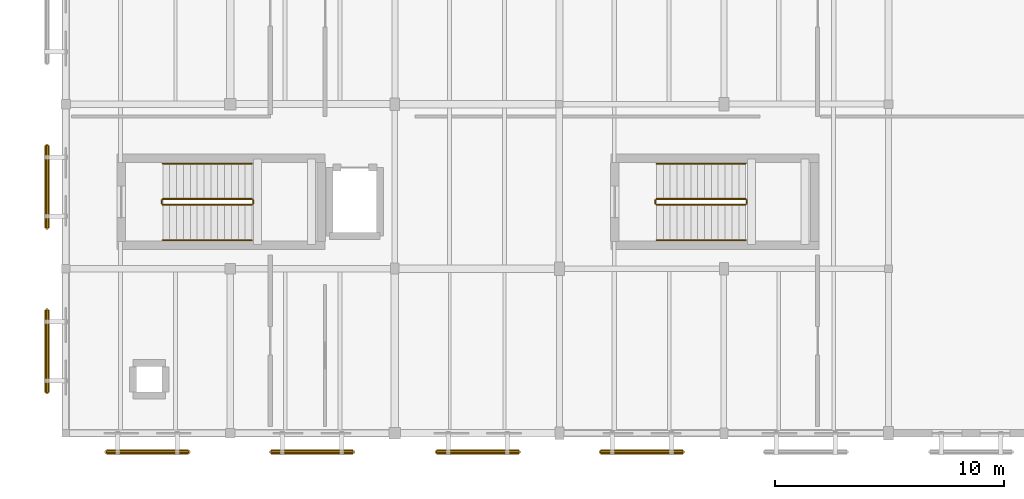
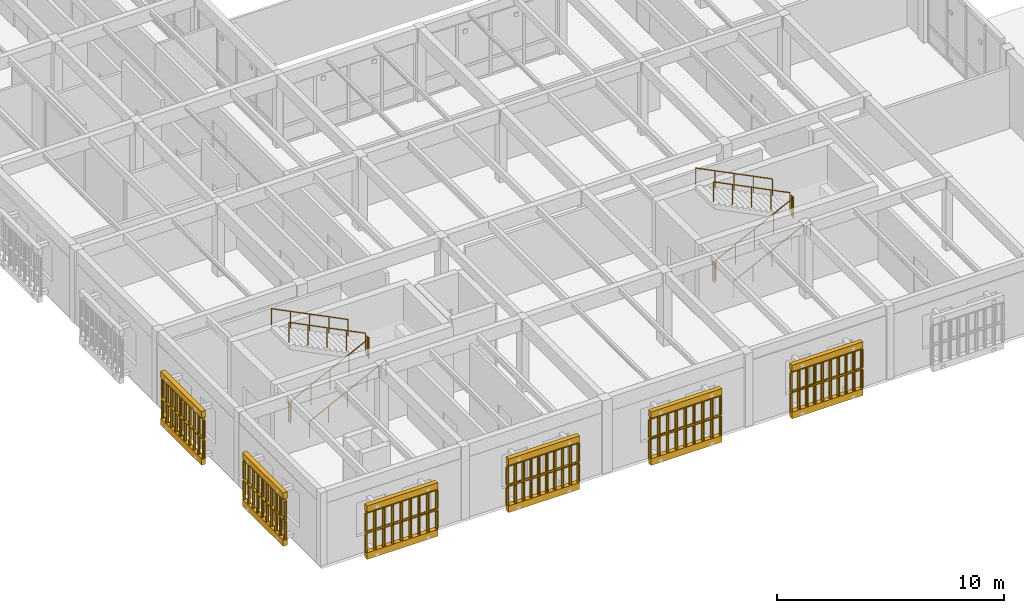
# One storey, part 56 of 61: 24 railings, 12 coverings.
"""IFC4 building model written with IfcOpenShell, lengths in metres."""

from ifc_helpers import new_model, si_unit, direction, frame, origin, origin_2d, place, context, subcontext, project, spatial, polyline, circle, outline, extrude, material, layer, layer_set, type_object, element, save


model = new_model("IFC4")

# Units and contexts
model_context = context("Model", 3, precision=1e-05, world=origin(), true_north=direction((0.0, 1.0)))
body_context = subcontext(model_context, "Body", "Model", "MODEL_VIEW")
ifc_project = project(units=[si_unit("LENGTHUNIT", "METRE"), si_unit("AREAUNIT", "SQUARE_METRE"), si_unit("VOLUMEUNIT", "CUBIC_METRE"), si_unit("PLANEANGLEUNIT", "RADIAN"), si_unit("MASSUNIT", "GRAM", prefix="KILO")], contexts=[model_context])

# Site, building, storey
site_placement = place(None, origin())
site = spatial("IfcSite", under=ifc_project, at=site_placement, CompositionType="ELEMENT")
building_placement = place(site_placement, origin())
building = spatial("IfcBuilding", under=site, at=building_placement, Name="Mazaris Harbour Polytechnic", CompositionType="ELEMENT")
storey_placement = place(building_placement, frame((0.0, 0.0, 18.0)))
storey = spatial("IfcBuildingStorey", under=building, at=storey_placement, Name="L04", CompositionType="ELEMENT", Elevation=18.0)

# Railings
ifc_material_1 = material(Name="Perforated Earth-Coloured Terracotta Block", Category="masonry")
railing_type_1 = type_object("IfcRailingType", Name="Perforated Earth-Block Claustra Lattice 1040", PredefinedType="BALUSTRADE", material=ifc_material_1)
for number, where, name in (
    (1, (5.3798828125, 6.3798828125, 0.52001953125), "V4 L04 Lower Perforated Terracotta Block Screen 294"),
    (2, (5.3798828125, 6.3798828125, 1.610107421875), "V4 L04 Upper Perforated Terracotta Block Screen 294"),
):
    element("IfcRailing", number, at=place(storey_placement, frame(where)), inside=storey, type_object=railing_type_1, Name=name, PredefinedType="BALUSTRADE", context=body_context, shape_type="SweptSolid", body=[
        extrude(circle(Radius=0.06982421875, at=origin_2d()), frame((0.0, 0.0, 1.02001953125), z_axis=(-1.0, 0.0, 0.0), x_axis=(0.0, -1.0, 0.0)), (0.0, 0.0, 1.0), 3.599853515625),
        extrude(circle(Radius=0.074951171875, at=origin_2d()), origin(), (0.0, 0.0, 1.0), 0.9501953125),
        extrude(circle(Radius=0.074951171875, at=origin_2d()), frame((-0.449951171875, 0.0, 0.0)), (0.0, 0.0, 1.0), 0.9501953125),
        extrude(circle(Radius=0.074951171875, at=origin_2d()), frame((-0.89990234375, 0.0, 0.0)), (0.0, 0.0, 1.0), 0.9501953125),
        extrude(circle(Radius=0.074951171875, at=origin_2d()), frame((-1.349853515625, 0.0, 0.0)), (0.0, 0.0, 1.0), 0.9501953125),
        extrude(circle(Radius=0.074951171875, at=origin_2d()), frame((-1.7998046875, 0.0, 0.0)), (0.0, 0.0, 1.0), 0.9501953125),
        extrude(circle(Radius=0.074951171875, at=origin_2d()), frame((-2.25, 0.0, 0.0)), (0.0, 0.0, 1.0), 0.9501953125),
        extrude(circle(Radius=0.074951171875, at=origin_2d()), frame((-2.699951171875, 0.0, 0.0)), (0.0, 0.0, 1.0), 0.9501953125),
        extrude(circle(Radius=0.074951171875, at=origin_2d()), frame((-3.14990234375, 0.0, 0.0)), (0.0, 0.0, 1.0), 0.9501953125),
        extrude(circle(Radius=0.074951171875, at=origin_2d()), frame((-3.599853515625, 0.0, 0.0)), (0.0, 0.0, 1.0), 0.9501953125),
    ])
for number, where, name in (
    (3, (12.580078125, 6.3798828125, 0.52001953125), "V4 L04 Lower Perforated Terracotta Block Screen 295"),
    (4, (12.580078125, 6.3798828125, 1.610107421875), "V4 L04 Upper Perforated Terracotta Block Screen 295"),
):
    element("IfcRailing", number, at=place(storey_placement, frame(where)), inside=storey, type_object=railing_type_1, Name=name, PredefinedType="BALUSTRADE", context=body_context, shape_type="SweptSolid", body=[
        extrude(circle(Radius=0.06982421875, at=origin_2d()), frame((0.0, 0.0, 1.02001953125), z_axis=(-1.0, 0.0, 0.0), x_axis=(0.0, -1.0, 0.0)), (0.0, 0.0, 1.0), 3.60009765625),
        extrude(circle(Radius=0.074951171875, at=origin_2d()), origin(), (0.0, 0.0, 1.0), 0.9501953125),
        extrude(circle(Radius=0.074951171875, at=origin_2d()), frame((-0.39990234375, 0.0, 0.0)), (0.0, 0.0, 1.0), 0.9501953125),
        extrude(circle(Radius=0.074951171875, at=origin_2d()), frame((-0.800048828125, 0.0, 0.0)), (0.0, 0.0, 1.0), 0.9501953125),
        extrude(circle(Radius=0.074951171875, at=origin_2d()), frame((-1.199951171875, 0.0, 0.0)), (0.0, 0.0, 1.0), 0.9501953125),
        extrude(circle(Radius=0.074951171875, at=origin_2d()), frame((-1.60009765625, 0.0, 0.0)), (0.0, 0.0, 1.0), 0.9501953125),
        extrude(circle(Radius=0.074951171875, at=origin_2d()), frame((-2.0, 0.0, 0.0)), (0.0, 0.0, 1.0), 0.9501953125),
        extrude(circle(Radius=0.074951171875, at=origin_2d()), frame((-2.400146484375, 0.0, 0.0)), (0.0, 0.0, 1.0), 0.9501953125),
        extrude(circle(Radius=0.074951171875, at=origin_2d()), frame((-2.800048828125, 0.0, 0.0)), (0.0, 0.0, 1.0), 0.9501953125),
        extrude(circle(Radius=0.074951171875, at=origin_2d()), frame((-3.2001953125, 0.0, 0.0)), (0.0, 0.0, 1.0), 0.9501953125),
        extrude(circle(Radius=0.074951171875, at=origin_2d()), frame((-3.60009765625, 0.0, 0.0)), (0.0, 0.0, 1.0), 0.9501953125),
    ])
for number, where, name in (
    (5, (19.824951171875, 6.3798828125, 0.52001953125), "V4 L04 Lower Perforated Terracotta Block Screen 296"),
    (6, (19.824951171875, 6.3798828125, 1.610107421875), "V4 L04 Upper Perforated Terracotta Block Screen 296"),
):
    element("IfcRailing", number, at=place(storey_placement, frame(where)), inside=storey, type_object=railing_type_1, Name=name, PredefinedType="BALUSTRADE", context=body_context, shape_type="SweptSolid", body=[
        extrude(circle(Radius=0.06982421875, at=origin_2d()), frame((0.0, 0.0, 1.02001953125), z_axis=(-1.0, 0.0, 0.0), x_axis=(0.0, -1.0, 0.0)), (0.0, 0.0, 1.0), 3.599853515625),
        extrude(circle(Radius=0.074951171875, at=origin_2d()), origin(), (0.0, 0.0, 1.0), 0.9501953125),
        extrude(circle(Radius=0.074951171875, at=origin_2d()), frame((-0.449951171875, 0.0, 0.0)), (0.0, 0.0, 1.0), 0.9501953125),
        extrude(circle(Radius=0.074951171875, at=origin_2d()), frame((-0.89990234375, 0.0, 0.0)), (0.0, 0.0, 1.0), 0.9501953125),
        extrude(circle(Radius=0.074951171875, at=origin_2d()), frame((-1.349853515625, 0.0, 0.0)), (0.0, 0.0, 1.0), 0.9501953125),
        extrude(circle(Radius=0.074951171875, at=origin_2d()), frame((-1.7998046875, 0.0, 0.0)), (0.0, 0.0, 1.0), 0.9501953125),
        extrude(circle(Radius=0.074951171875, at=origin_2d()), frame((-2.25, 0.0, 0.0)), (0.0, 0.0, 1.0), 0.9501953125),
        extrude(circle(Radius=0.074951171875, at=origin_2d()), frame((-2.699951171875, 0.0, 0.0)), (0.0, 0.0, 1.0), 0.9501953125),
        extrude(circle(Radius=0.074951171875, at=origin_2d()), frame((-3.14990234375, 0.0, 0.0)), (0.0, 0.0, 1.0), 0.9501953125),
        extrude(circle(Radius=0.074951171875, at=origin_2d()), frame((-3.599853515625, 0.0, 0.0)), (0.0, 0.0, 1.0), 0.9501953125),
    ])
for number, where, name in (
    (7, (27.010009765625, 6.3798828125, 0.52001953125), "V4 L04 Lower Perforated Terracotta Block Screen 297"),
    (8, (27.010009765625, 6.3798828125, 1.610107421875), "V4 L04 Upper Perforated Terracotta Block Screen 297"),
):
    element("IfcRailing", number, at=place(storey_placement, frame(where)), inside=storey, type_object=railing_type_1, Name=name, PredefinedType="BALUSTRADE", context=body_context, shape_type="SweptSolid", body=[
        extrude(circle(Radius=0.06982421875, at=origin_2d()), frame((0.0, 0.0, 1.02001953125), z_axis=(-1.0, 0.0, 0.0), x_axis=(0.0, -1.0, 0.0)), (0.0, 0.0, 1.0), 3.60009765625),
        extrude(circle(Radius=0.074951171875, at=origin_2d()), origin(), (0.0, 0.0, 1.0), 0.9501953125),
        extrude(circle(Radius=0.074951171875, at=origin_2d()), frame((-0.39990234375, 0.0, 0.0)), (0.0, 0.0, 1.0), 0.9501953125),
        extrude(circle(Radius=0.074951171875, at=origin_2d()), frame((-0.800048828125, 0.0, 0.0)), (0.0, 0.0, 1.0), 0.9501953125),
        extrude(circle(Radius=0.074951171875, at=origin_2d()), frame((-1.199951171875, 0.0, 0.0)), (0.0, 0.0, 1.0), 0.9501953125),
        extrude(circle(Radius=0.074951171875, at=origin_2d()), frame((-1.60009765625, 0.0, 0.0)), (0.0, 0.0, 1.0), 0.9501953125),
        extrude(circle(Radius=0.074951171875, at=origin_2d()), frame((-2.0, 0.0, 0.0)), (0.0, 0.0, 1.0), 0.9501953125),
        extrude(circle(Radius=0.074951171875, at=origin_2d()), frame((-2.400146484375, 0.0, 0.0)), (0.0, 0.0, 1.0), 0.9501953125),
        extrude(circle(Radius=0.074951171875, at=origin_2d()), frame((-2.800048828125, 0.0, 0.0)), (0.0, 0.0, 1.0), 0.9501953125),
        extrude(circle(Radius=0.074951171875, at=origin_2d()), frame((-3.2001953125, 0.0, 0.0)), (0.0, 0.0, 1.0), 0.9501953125),
        extrude(circle(Radius=0.074951171875, at=origin_2d()), frame((-3.60009765625, 0.0, 0.0)), (0.0, 0.0, 1.0), 0.9501953125),
    ])
for number, where, name in (
    (9, (-0.820068359375, 8.989990234375, 0.52001953125), "V4 L04 Lower Perforated Terracotta Block Screen 306"),
    (10, (-0.820068359375, 8.989990234375, 1.610107421875), "V4 L04 Upper Perforated Terracotta Block Screen 306"),
    (11, (-0.820068359375, 16.18994140625, 0.52001953125), "V4 L04 Lower Perforated Terracotta Block Screen 307"),
    (12, (-0.820068359375, 16.18994140625, 1.610107421875), "V4 L04 Upper Perforated Terracotta Block Screen 307"),
):
    element("IfcRailing", number, at=place(storey_placement, frame(where)), inside=storey, type_object=railing_type_1, Name=name, PredefinedType="BALUSTRADE", context=body_context, shape_type="SweptSolid", body=[
        extrude(circle(Radius=0.06982421875, at=origin_2d()), frame((0.0, 0.0, 1.02001953125), z_axis=(0.0, 1.0, 0.0), x_axis=(-1.0, 0.0, 0.0)), (0.0, 0.0, 1.0), 3.60009765625),
        extrude(circle(Radius=0.074951171875, at=origin_2d()), origin(), (0.0, 0.0, 1.0), 0.9501953125),
        extrude(circle(Radius=0.074951171875, at=origin_2d()), frame((0.0, 0.39990234375, 0.0)), (0.0, 0.0, 1.0), 0.9501953125),
        extrude(circle(Radius=0.074951171875, at=origin_2d()), frame((0.0, 0.800048828125, 0.0)), (0.0, 0.0, 1.0), 0.9501953125),
        extrude(circle(Radius=0.074951171875, at=origin_2d()), frame((0.0, 1.199951171875, 0.0)), (0.0, 0.0, 1.0), 0.9501953125),
        extrude(circle(Radius=0.074951171875, at=origin_2d()), frame((0.0, 1.60009765625, 0.0)), (0.0, 0.0, 1.0), 0.9501953125),
        extrude(circle(Radius=0.074951171875, at=origin_2d()), frame((0.0, 2.0, 0.0)), (0.0, 0.0, 1.0), 0.9501953125),
        extrude(circle(Radius=0.074951171875, at=origin_2d()), frame((0.0, 2.400146484375, 0.0)), (0.0, 0.0, 1.0), 0.9501953125),
        extrude(circle(Radius=0.074951171875, at=origin_2d()), frame((0.0, 2.800048828125, 0.0)), (0.0, 0.0, 1.0), 0.9501953125),
        extrude(circle(Radius=0.074951171875, at=origin_2d()), frame((0.0, 3.2001953125, 0.0)), (0.0, 0.0, 1.0), 0.9501953125),
        extrude(circle(Radius=0.074951171875, at=origin_2d()), frame((0.0, 3.60009765625, 0.0)), (0.0, 0.0, 1.0), 0.9501953125),
    ])
ifc_material_2 = material(Name="Stainless Steel S355", Category="steel")
railing_type_2 = type_object("IfcRailingType", Name="Stair Wall Handrail 900", PredefinedType="HANDRAIL", material=ifc_material_2)
railing_1_placement = place(storey_placement, frame((4.25, 15.64990234375, 0.14990234375)))
element("IfcRailing", 13, at=railing_1_placement, inside=storey, type_object=railing_type_2, Name="L04 ST07 stair handrail 1", PredefinedType="HANDRAIL", context=body_context, shape_type="SweptSolid", body=[
    extrude(circle(Radius=0.02392578125, at=origin_2d()), frame((0.0, 0.0, 0.8759765625), z_axis=(0.894404793364, 0.0, 0.447258387967), x_axis=(0.0, 1.0, 0.0)), (0.0, 0.0, 1.0), 4.3603515625),
    extrude(circle(Radius=0.02099609375, at=origin_2d()), origin(), (0.0, 0.0, 1.0), 0.851806640625),
    extrude(circle(Radius=0.02099609375, at=origin_2d()), frame((0.97509765625, 0.0, 0.487548828125)), (0.0, 0.0, 1.0), 0.851806640625),
    extrude(circle(Radius=0.02099609375, at=origin_2d()), frame((1.949951171875, 0.0, 0.97509765625)), (0.0, 0.0, 1.0), 0.851806640625),
    extrude(circle(Radius=0.02099609375, at=origin_2d()), frame((2.9248046875, 0.0, 1.462646484375)), (0.0, 0.0, 1.0), 0.851806640625),
    extrude(circle(Radius=0.02099609375, at=origin_2d()), frame((3.89990234375, 0.0, 1.9501953125)), (0.0, 0.0, 1.0), 0.851806640625),
])
railing_2_placement = place(storey_placement, frame((8.14990234375, 19.0, 2.25)))
element("IfcRailing", 14, at=railing_2_placement, inside=storey, type_object=railing_type_2, Name="L04 ST07 stair handrail 2", PredefinedType="HANDRAIL", context=body_context, shape_type="SweptSolid", body=[
    extrude(circle(Radius=0.02392578125, at=origin_2d()), frame((0.0, 0.0, 0.8759765625), z_axis=(-0.894427191, 0.0, 0.4472135955), x_axis=(0.0, -1.0, 0.0)), (0.0, 0.0, 1.0), 4.360107421875),
    extrude(circle(Radius=0.02099609375, at=origin_2d()), origin(), (0.0, 0.0, 1.0), 0.851806640625),
    extrude(circle(Radius=0.02099609375, at=origin_2d()), frame((-0.97509765625, 0.0, 0.487548828125)), (0.0, 0.0, 1.0), 0.851806640625),
    extrude(circle(Radius=0.02099609375, at=origin_2d()), frame((-1.949951171875, 0.0, 0.97509765625)), (0.0, 0.0, 1.0), 0.851806640625),
    extrude(circle(Radius=0.02099609375, at=origin_2d()), frame((-2.9248046875, 0.0, 1.46240234375)), (0.0, 0.0, 1.0), 0.851806640625),
    extrude(circle(Radius=0.02099609375, at=origin_2d()), frame((-3.89990234375, 0.0, 1.949951171875)), (0.0, 0.0, 1.0), 0.851806640625),
])
railing_3_placement = place(storey_placement, frame((25.85009765625, 15.64990234375, 0.14990234375)))
element("IfcRailing", 15, at=railing_3_placement, inside=storey, type_object=railing_type_2, Name="L04 ST08 stair handrail 1", PredefinedType="HANDRAIL", context=body_context, shape_type="SweptSolid", body=[
    extrude(circle(Radius=0.02392578125, at=origin_2d()), frame((0.0, 0.0, 0.8759765625), z_axis=(0.894404793364, 0.0, 0.447258387967), x_axis=(0.0, 1.0, 0.0)), (0.0, 0.0, 1.0), 4.3603515625),
    extrude(circle(Radius=0.02099609375, at=origin_2d()), origin(), (0.0, 0.0, 1.0), 0.851806640625),
    extrude(circle(Radius=0.02099609375, at=origin_2d()), frame((0.97509765625, 0.0, 0.487548828125)), (0.0, 0.0, 1.0), 0.851806640625),
    extrude(circle(Radius=0.02099609375, at=origin_2d()), frame((1.949951171875, 0.0, 0.97509765625)), (0.0, 0.0, 1.0), 0.851806640625),
    extrude(circle(Radius=0.02099609375, at=origin_2d()), frame((2.9248046875, 0.0, 1.462646484375)), (0.0, 0.0, 1.0), 0.851806640625),
    extrude(circle(Radius=0.02099609375, at=origin_2d()), frame((3.89990234375, 0.0, 1.9501953125)), (0.0, 0.0, 1.0), 0.851806640625),
])
railing_4_placement = place(storey_placement, frame((29.75, 19.0, 2.25)))
element("IfcRailing", 16, at=railing_4_placement, inside=storey, type_object=railing_type_2, Name="L04 ST08 stair handrail 2", PredefinedType="HANDRAIL", context=body_context, shape_type="SweptSolid", body=[
    extrude(circle(Radius=0.02392578125, at=origin_2d()), frame((0.0, 0.0, 0.8759765625), z_axis=(-0.894427191, 0.0, 0.4472135955), x_axis=(0.0, -1.0, 0.0)), (0.0, 0.0, 1.0), 4.360107421875),
    extrude(circle(Radius=0.02099609375, at=origin_2d()), origin(), (0.0, 0.0, 1.0), 0.851806640625),
    extrude(circle(Radius=0.02099609375, at=origin_2d()), frame((-0.97509765625, 0.0, 0.487548828125)), (0.0, 0.0, 1.0), 0.851806640625),
    extrude(circle(Radius=0.02099609375, at=origin_2d()), frame((-1.949951171875, 0.0, 0.97509765625)), (0.0, 0.0, 1.0), 0.851806640625),
    extrude(circle(Radius=0.02099609375, at=origin_2d()), frame((-2.9248046875, 0.0, 1.46240234375)), (0.0, 0.0, 1.0), 0.851806640625),
    extrude(circle(Radius=0.02099609375, at=origin_2d()), frame((-3.89990234375, 0.0, 1.949951171875)), (0.0, 0.0, 1.0), 0.851806640625),
])
ifc_material_3 = material(Name="Steel S355", Category="steel")
railing_type_3 = type_object("IfcRailingType", Name="Stair Well Guardrail 1100", PredefinedType="GUARDRAIL", material=ifc_material_3)
railing_5_placement = place(storey_placement, frame((4.25, 17.199951171875, 0.14990234375)))
element("IfcRailing", 17, at=railing_5_placement, inside=storey, type_object=railing_type_3, Name="L04 ST07 stair guard 1", PredefinedType="GUARDRAIL", context=body_context, shape_type="SweptSolid", body=[
    extrude(circle(Radius=0.02392578125, at=origin_2d()), frame((0.0, 0.0, 1.076171875), z_axis=(0.894404793364, 0.0, 0.447258387967), x_axis=(0.0, 1.0, 0.0)), (0.0, 0.0, 1.0), 4.3603515625),
    extrude(circle(Radius=0.02099609375, at=origin_2d()), origin(), (0.0, 0.0, 1.0), 1.052001953125),
    extrude(circle(Radius=0.02099609375, at=origin_2d()), frame((0.97509765625, 0.0, 0.487548828125)), (0.0, 0.0, 1.0), 1.052001953125),
    extrude(circle(Radius=0.02099609375, at=origin_2d()), frame((1.949951171875, 0.0, 0.97509765625)), (0.0, 0.0, 1.0), 1.052001953125),
    extrude(circle(Radius=0.02099609375, at=origin_2d()), frame((2.9248046875, 0.0, 1.462646484375)), (0.0, 0.0, 1.0), 1.052001953125),
    extrude(circle(Radius=0.02099609375, at=origin_2d()), frame((3.89990234375, 0.0, 1.9501953125)), (0.0, 0.0, 1.0), 1.052001953125),
])
railing_6_placement = place(storey_placement, frame((8.199951171875, 17.25, 2.10009765625)))
element("IfcRailing", 18, at=railing_6_placement, inside=storey, type_object=railing_type_3, Name="L04 ST07 stair guard 2", PredefinedType="GUARDRAIL", context=body_context, shape_type="SweptSolid", body=[
    extrude(circle(Radius=0.02392578125, at=origin_2d()), frame((0.0, 0.0, 1.076171875), z_axis=(0.0, 1.0, 0.0), x_axis=(-1.0, 0.0, 0.0)), (0.0, 0.0, 1.0), 0.14990234375),
    extrude(circle(Radius=0.02099609375, at=origin_2d()), origin(), (0.0, 0.0, 1.0), 1.052001953125),
    extrude(circle(Radius=0.02099609375, at=origin_2d()), frame((0.0, 0.14990234375, 0.0)), (0.0, 0.0, 1.0), 1.052001953125),
])
railing_7_placement = place(storey_placement, frame((8.14990234375, 17.449951171875, 2.25)))
element("IfcRailing", 19, at=railing_7_placement, inside=storey, type_object=railing_type_3, Name="L04 ST07 stair guard 3", PredefinedType="GUARDRAIL", context=body_context, shape_type="SweptSolid", body=[
    extrude(circle(Radius=0.02392578125, at=origin_2d()), frame((0.0, 0.0, 1.076171875), z_axis=(-0.894427191, 0.0, 0.4472135955), x_axis=(0.0, -1.0, 0.0)), (0.0, 0.0, 1.0), 4.360107421875),
    extrude(circle(Radius=0.02099609375, at=origin_2d()), origin(), (0.0, 0.0, 1.0), 1.052001953125),
    extrude(circle(Radius=0.02099609375, at=origin_2d()), frame((-0.97509765625, 0.0, 0.487548828125)), (0.0, 0.0, 1.0), 1.052001953125),
    extrude(circle(Radius=0.02099609375, at=origin_2d()), frame((-1.949951171875, 0.0, 0.97509765625)), (0.0, 0.0, 1.0), 1.052001953125),
    extrude(circle(Radius=0.02099609375, at=origin_2d()), frame((-2.9248046875, 0.0, 1.46240234375)), (0.0, 0.0, 1.0), 1.052001953125),
    extrude(circle(Radius=0.02099609375, at=origin_2d()), frame((-3.89990234375, 0.0, 1.949951171875)), (0.0, 0.0, 1.0), 1.052001953125),
])
railing_8_placement = place(storey_placement, frame((4.199951171875, 17.25, 0.0)))
element("IfcRailing", 20, at=railing_8_placement, inside=storey, type_object=railing_type_3, Name="L04 ST07 stair guard 4", PredefinedType="GUARDRAIL", context=body_context, shape_type="SweptSolid", body=[
    extrude(circle(Radius=0.02392578125, at=origin_2d()), frame((0.0, 0.0, 1.076171875), z_axis=(0.0, 1.0, 0.0), x_axis=(-1.0, 0.0, 0.0)), (0.0, 0.0, 1.0), 0.14990234375),
    extrude(circle(Radius=0.02099609375, at=origin_2d()), origin(), (0.0, 0.0, 1.0), 1.052001953125),
    extrude(circle(Radius=0.02099609375, at=origin_2d()), frame((0.0, 0.14990234375, 0.0)), (0.0, 0.0, 1.0), 1.052001953125),
])
railing_9_placement = place(storey_placement, frame((25.85009765625, 17.199951171875, 0.14990234375)))
element("IfcRailing", 21, at=railing_9_placement, inside=storey, type_object=railing_type_3, Name="L04 ST08 stair guard 1", PredefinedType="GUARDRAIL", context=body_context, shape_type="SweptSolid", body=[
    extrude(circle(Radius=0.02392578125, at=origin_2d()), frame((0.0, 0.0, 1.076171875), z_axis=(0.894404793364, 0.0, 0.447258387967), x_axis=(0.0, 1.0, 0.0)), (0.0, 0.0, 1.0), 4.3603515625),
    extrude(circle(Radius=0.02099609375, at=origin_2d()), origin(), (0.0, 0.0, 1.0), 1.052001953125),
    extrude(circle(Radius=0.02099609375, at=origin_2d()), frame((0.97509765625, 0.0, 0.487548828125)), (0.0, 0.0, 1.0), 1.052001953125),
    extrude(circle(Radius=0.02099609375, at=origin_2d()), frame((1.949951171875, 0.0, 0.97509765625)), (0.0, 0.0, 1.0), 1.052001953125),
    extrude(circle(Radius=0.02099609375, at=origin_2d()), frame((2.9248046875, 0.0, 1.462646484375)), (0.0, 0.0, 1.0), 1.052001953125),
    extrude(circle(Radius=0.02099609375, at=origin_2d()), frame((3.89990234375, 0.0, 1.9501953125)), (0.0, 0.0, 1.0), 1.052001953125),
])
railing_10_placement = place(storey_placement, frame((29.800048828125, 17.25, 2.10009765625)))
element("IfcRailing", 22, at=railing_10_placement, inside=storey, type_object=railing_type_3, Name="L04 ST08 stair guard 2", PredefinedType="GUARDRAIL", context=body_context, shape_type="SweptSolid", body=[
    extrude(circle(Radius=0.02392578125, at=origin_2d()), frame((0.0, 0.0, 1.076171875), z_axis=(0.0, 1.0, 0.0), x_axis=(-1.0, 0.0, 0.0)), (0.0, 0.0, 1.0), 0.14990234375),
    extrude(circle(Radius=0.02099609375, at=origin_2d()), origin(), (0.0, 0.0, 1.0), 1.052001953125),
    extrude(circle(Radius=0.02099609375, at=origin_2d()), frame((0.0, 0.14990234375, 0.0)), (0.0, 0.0, 1.0), 1.052001953125),
])
railing_11_placement = place(storey_placement, frame((29.75, 17.449951171875, 2.25)))
element("IfcRailing", 23, at=railing_11_placement, inside=storey, type_object=railing_type_3, Name="L04 ST08 stair guard 3", PredefinedType="GUARDRAIL", context=body_context, shape_type="SweptSolid", body=[
    extrude(circle(Radius=0.02392578125, at=origin_2d()), frame((0.0, 0.0, 1.076171875), z_axis=(-0.894427191, 0.0, 0.4472135955), x_axis=(0.0, -1.0, 0.0)), (0.0, 0.0, 1.0), 4.360107421875),
    extrude(circle(Radius=0.02099609375, at=origin_2d()), origin(), (0.0, 0.0, 1.0), 1.052001953125),
    extrude(circle(Radius=0.02099609375, at=origin_2d()), frame((-0.97509765625, 0.0, 0.487548828125)), (0.0, 0.0, 1.0), 1.052001953125),
    extrude(circle(Radius=0.02099609375, at=origin_2d()), frame((-1.949951171875, 0.0, 0.97509765625)), (0.0, 0.0, 1.0), 1.052001953125),
    extrude(circle(Radius=0.02099609375, at=origin_2d()), frame((-2.9248046875, 0.0, 1.46240234375)), (0.0, 0.0, 1.0), 1.052001953125),
    extrude(circle(Radius=0.02099609375, at=origin_2d()), frame((-3.89990234375, 0.0, 1.949951171875)), (0.0, 0.0, 1.0), 1.052001953125),
])
railing_12_placement = place(storey_placement, frame((25.800048828125, 17.25, 0.0)))
element("IfcRailing", 24, at=railing_12_placement, inside=storey, type_object=railing_type_3, Name="L04 ST08 stair guard 4", PredefinedType="GUARDRAIL", context=body_context, shape_type="SweptSolid", body=[
    extrude(circle(Radius=0.02392578125, at=origin_2d()), frame((0.0, 0.0, 1.076171875), z_axis=(0.0, 1.0, 0.0), x_axis=(-1.0, 0.0, 0.0)), (0.0, 0.0, 1.0), 0.14990234375),
    extrude(circle(Radius=0.02099609375, at=origin_2d()), origin(), (0.0, 0.0, 1.0), 1.052001953125),
    extrude(circle(Radius=0.02099609375, at=origin_2d()), frame((0.0, 0.14990234375, 0.0)), (0.0, 0.0, 1.0), 1.052001953125),
])

# Coverings
ifc_material_4 = material(Name="Perforated Earth-Coloured Terracotta Block", Category="masonry")
ifc_layer = layer(ifc_material_4, 0.219970703125, Name="Perforated Earth-Coloured Terracotta Block")
ifc_layer_set = layer_set([ifc_layer], Name="Perforated Earth-Coloured Terracotta Block")
covering_type = type_object("IfcCoveringType", Name="Terracotta Screen Course Cladding 220", PredefinedType="CLADDING", material=ifc_layer_set)
covering_1_placement = place(storey_placement, frame((0.0, 0.0, 0.159912109375)))
element("IfcCovering", 25, at=covering_1_placement, inside=storey, type_object=covering_type, Name="V4 L04 Perforated Screen Sill Course 294", PredefinedType="CLADDING", context=body_context, shape_type="SweptSolid", body=[
    extrude(outline(polyline([(5.3798828125, 6.489990234375), (1.780029296875, 6.489990234375), (1.780029296875, 6.27001953125), (5.3798828125, 6.27001953125), (5.3798828125, 6.489990234375)])), origin(), (0.0, 0.0, 1.0), 0.360107421875),
])
covering_2_placement = place(storey_placement, frame((0.0, 0.0, 2.699951171875)))
element("IfcCovering", 26, at=covering_2_placement, inside=storey, type_object=covering_type, Name="V4 L04 Perforated Screen Lintel Course 294", PredefinedType="CLADDING", context=body_context, shape_type="SweptSolid", body=[
    extrude(outline(polyline([(5.3798828125, 6.489990234375), (1.780029296875, 6.489990234375), (1.780029296875, 6.27001953125), (5.3798828125, 6.27001953125), (5.3798828125, 6.489990234375)])), origin(), (0.0, 0.0, 1.0), 0.340087890625),
])
covering_3_placement = place(storey_placement, frame((0.0, 0.0, 0.159912109375)))
element("IfcCovering", 27, at=covering_3_placement, inside=storey, type_object=covering_type, Name="V4 L04 Perforated Screen Sill Course 295", PredefinedType="CLADDING", context=body_context, shape_type="SweptSolid", body=[
    extrude(outline(polyline([(12.580078125, 6.489990234375), (8.97998046875, 6.489990234375), (8.97998046875, 6.27001953125), (12.580078125, 6.27001953125), (12.580078125, 6.489990234375)])), origin(), (0.0, 0.0, 1.0), 0.360107421875),
])
covering_4_placement = place(storey_placement, frame((0.0, 0.0, 2.699951171875)))
element("IfcCovering", 28, at=covering_4_placement, inside=storey, type_object=covering_type, Name="V4 L04 Perforated Screen Lintel Course 295", PredefinedType="CLADDING", context=body_context, shape_type="SweptSolid", body=[
    extrude(outline(polyline([(12.580078125, 6.489990234375), (8.97998046875, 6.489990234375), (8.97998046875, 6.27001953125), (12.580078125, 6.27001953125), (12.580078125, 6.489990234375)])), origin(), (0.0, 0.0, 1.0), 0.340087890625),
])
covering_5_placement = place(storey_placement, frame((0.0, 0.0, 0.159912109375)))
element("IfcCovering", 29, at=covering_5_placement, inside=storey, type_object=covering_type, Name="V4 L04 Perforated Screen Sill Course 296", PredefinedType="CLADDING", context=body_context, shape_type="SweptSolid", body=[
    extrude(outline(polyline([(19.824951171875, 6.489990234375), (16.22509765625, 6.489990234375), (16.22509765625, 6.27001953125), (19.824951171875, 6.27001953125), (19.824951171875, 6.489990234375)])), origin(), (0.0, 0.0, 1.0), 0.360107421875),
])
covering_6_placement = place(storey_placement, frame((0.0, 0.0, 2.699951171875)))
element("IfcCovering", 30, at=covering_6_placement, inside=storey, type_object=covering_type, Name="V4 L04 Perforated Screen Lintel Course 296", PredefinedType="CLADDING", context=body_context, shape_type="SweptSolid", body=[
    extrude(outline(polyline([(19.824951171875, 6.489990234375), (16.22509765625, 6.489990234375), (16.22509765625, 6.27001953125), (19.824951171875, 6.27001953125), (19.824951171875, 6.489990234375)])), origin(), (0.0, 0.0, 1.0), 0.340087890625),
])
covering_7_placement = place(storey_placement, frame((0.0, 0.0, 0.159912109375)))
element("IfcCovering", 31, at=covering_7_placement, inside=storey, type_object=covering_type, Name="V4 L04 Perforated Screen Sill Course 297", PredefinedType="CLADDING", context=body_context, shape_type="SweptSolid", body=[
    extrude(outline(polyline([(27.010009765625, 6.489990234375), (23.409912109375, 6.489990234375), (23.409912109375, 6.27001953125), (27.010009765625, 6.27001953125), (27.010009765625, 6.489990234375)])), origin(), (0.0, 0.0, 1.0), 0.360107421875),
])
covering_8_placement = place(storey_placement, frame((0.0, 0.0, 2.699951171875)))
element("IfcCovering", 32, at=covering_8_placement, inside=storey, type_object=covering_type, Name="V4 L04 Perforated Screen Lintel Course 297", PredefinedType="CLADDING", context=body_context, shape_type="SweptSolid", body=[
    extrude(outline(polyline([(27.010009765625, 6.489990234375), (23.409912109375, 6.489990234375), (23.409912109375, 6.27001953125), (27.010009765625, 6.27001953125), (27.010009765625, 6.489990234375)])), origin(), (0.0, 0.0, 1.0), 0.340087890625),
])
covering_9_placement = place(storey_placement, frame((0.0, 0.0, 0.159912109375)))
element("IfcCovering", 33, at=covering_9_placement, inside=storey, type_object=covering_type, Name="V4 L04 Perforated Screen Sill Course 306", PredefinedType="CLADDING", context=body_context, shape_type="SweptSolid", body=[
    extrude(outline(polyline([(-0.7099609375, 8.989990234375), (-0.7099609375, 12.590087890625), (-0.929931640625, 12.590087890625), (-0.929931640625, 8.989990234375), (-0.7099609375, 8.989990234375)])), origin(), (0.0, 0.0, 1.0), 0.360107421875),
])
covering_10_placement = place(storey_placement, frame((0.0, 0.0, 2.699951171875)))
element("IfcCovering", 34, at=covering_10_placement, inside=storey, type_object=covering_type, Name="V4 L04 Perforated Screen Lintel Course 306", PredefinedType="CLADDING", context=body_context, shape_type="SweptSolid", body=[
    extrude(outline(polyline([(-0.7099609375, 8.989990234375), (-0.7099609375, 12.590087890625), (-0.929931640625, 12.590087890625), (-0.929931640625, 8.989990234375), (-0.7099609375, 8.989990234375)])), origin(), (0.0, 0.0, 1.0), 0.340087890625),
])
covering_11_placement = place(storey_placement, frame((0.0, 0.0, 0.159912109375)))
element("IfcCovering", 35, at=covering_11_placement, inside=storey, type_object=covering_type, Name="V4 L04 Perforated Screen Sill Course 307", PredefinedType="CLADDING", context=body_context, shape_type="SweptSolid", body=[
    extrude(outline(polyline([(-0.7099609375, 16.18994140625), (-0.7099609375, 19.7900390625), (-0.929931640625, 19.7900390625), (-0.929931640625, 16.18994140625), (-0.7099609375, 16.18994140625)])), origin(), (0.0, 0.0, 1.0), 0.360107421875),
])
covering_12_placement = place(storey_placement, frame((0.0, 0.0, 2.699951171875)))
element("IfcCovering", 36, at=covering_12_placement, inside=storey, type_object=covering_type, Name="V4 L04 Perforated Screen Lintel Course 307", PredefinedType="CLADDING", context=body_context, shape_type="SweptSolid", body=[
    extrude(outline(polyline([(-0.7099609375, 16.18994140625), (-0.7099609375, 19.7900390625), (-0.929931640625, 19.7900390625), (-0.929931640625, 16.18994140625), (-0.7099609375, 16.18994140625)])), origin(), (0.0, 0.0, 1.0), 0.340087890625),
])

save(model, "model.ifc")
